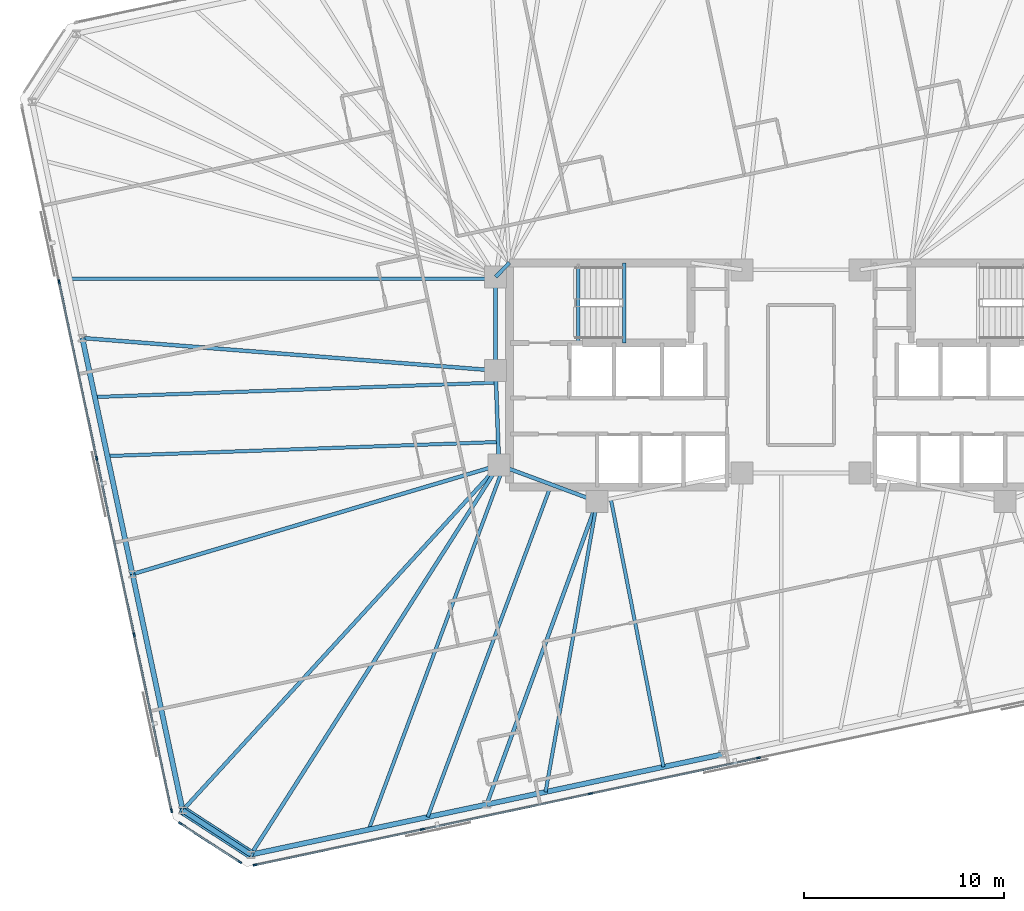
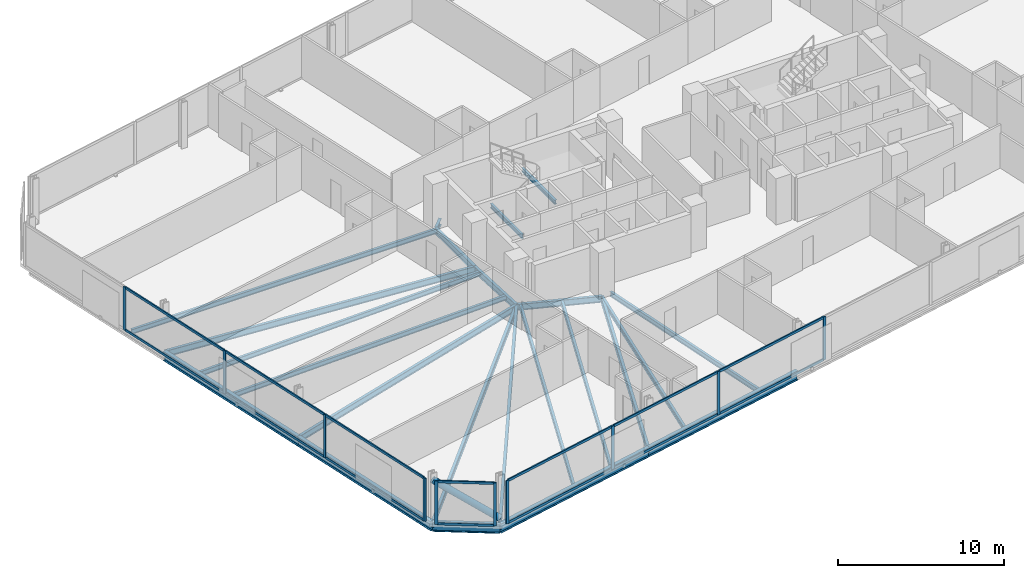
# One storey, part 6 of 19: 25 members, 23 beams, 3 elements without a shape of their own.
"""IFC4 building model written with IfcOpenShell, lengths in metres."""

from ifc_helpers import new_model, si_unit, direction, frame, origin, origin_2d, place, context, subcontext, project, spatial, rectangle, hollow_circle, i_section, extrude, material, material_profile, profile_set, type_object, element, aggregate, save


model = new_model("IFC4")

# Units and contexts
model_context = context("Model", 3, precision=1e-05, world=origin(), true_north=direction((0.0, 1.0)))
body_context = subcontext(model_context, "Body", "Model", "MODEL_VIEW")
ifc_project = project(units=[si_unit("LENGTHUNIT", "METRE"), si_unit("AREAUNIT", "SQUARE_METRE"), si_unit("VOLUMEUNIT", "CUBIC_METRE"), si_unit("PLANEANGLEUNIT", "RADIAN"), si_unit("MASSUNIT", "GRAM", prefix="KILO")], contexts=[model_context])

# Site, building, storey
site_placement = place(None, origin())
site = spatial("IfcSite", under=ifc_project, at=site_placement, CompositionType="ELEMENT")
building_placement = place(site_placement, origin())
building = spatial("IfcBuilding", under=site, at=building_placement, Name="Menara Jurai Vektor", CompositionType="ELEMENT")
storey_placement = place(building_placement, frame((0.0, 0.0, 182.0)))
storey = spatial("IfcBuildingStorey", under=building, at=storey_placement, Name="L47", CompositionType="ELEMENT", Elevation=182.0)

# Curtain wall, members
ifc_material_1 = material(Name="Anodised Pale Aluminium & Low-E Double Glazing", Category="aluminium")
curtain_wall_type = type_object("IfcCurtainWallType", Name="CW-BLK3", PredefinedType="NOTDEFINED", material=ifc_material_1)
curtain_wall_1_placement = place(storey_placement, origin())
curtain_wall_1 = element("IfcCurtainWall", 1, at=curtain_wall_1_placement, inside=storey, type_object=curtain_wall_type, Name="Unitised Curtain Wall L47 F01", PredefinedType="NOTDEFINED")
ifc_material_2 = material(Name="Anodised Pale Aluminium Mullion", Category="aluminium")
ifc_material_profile_1 = material_profile(ifc_material_2, rectangle(XDim=0.0849609375, YDim=0.205078125, at=origin_2d()), Name="ALU MUL 85x205")
ifc_profile_set_1 = profile_set([ifc_material_profile_1], Name="Anodised Pale Aluminium Mullion")
member_type_1 = type_object("IfcMemberType", Name="CW-BLK3-MUL", PredefinedType="MULLION", material=ifc_profile_set_1)
member_1_placement = place(storey_placement, frame((-27.25244140625, -24.462890625, 0.0), z_axis=(0.0, 0.0, 1.0), x_axis=(-0.207911344156, 0.978147674419, 0.0)))
member_1 = element("IfcMember", 2, at=member_1_placement, type_object=member_type_1, Name="CW-03 mullion 1", PredefinedType="MULLION", context=body_context, shape_type="SweptSolid", body=[
    extrude(rectangle(XDim=0.0849609375, YDim=0.205078125, at=origin_2d()), origin(), (0.0, 0.0, 1.0), 3.175048828125),
])
member_2_placement = place(storey_placement, frame((-18.904296875, -22.6884765625, 0.0), z_axis=(0.0, 0.0, 1.0), x_axis=(-0.207911344156, 0.978147674419, 0.0)))
member_2 = element("IfcMember", 3, at=member_2_placement, type_object=member_type_1, Name="CW-03 mullion 2", PredefinedType="MULLION", context=body_context, shape_type="SweptSolid", body=[
    extrude(rectangle(XDim=0.0849609375, YDim=0.205078125, at=origin_2d()), origin(), (0.0, 0.0, 1.0), 3.175048828125),
])
member_3_placement = place(storey_placement, frame((-10.514404296875, -20.905029296875, 0.0), z_axis=(0.0, 0.0, 1.0), x_axis=(-0.207911344156, 0.978147674419, 0.0)))
member_3 = element("IfcMember", 4, at=member_3_placement, type_object=member_type_1, Name="CW-03 mullion 3", PredefinedType="MULLION", context=body_context, shape_type="SweptSolid", body=[
    extrude(rectangle(XDim=0.0849609375, YDim=0.205078125, at=origin_2d()), origin(), (0.0, 0.0, 1.0), 3.175048828125),
])
member_4_placement = place(storey_placement, frame((-2.124755859375, -19.121826171875, 0.0), z_axis=(0.0, 0.0, 1.0), x_axis=(-0.207911344156, 0.978147674419, 0.0)))
member_4 = element("IfcMember", 5, at=member_4_placement, type_object=member_type_1, Name="CW-03 mullion 4", PredefinedType="MULLION", context=body_context, shape_type="SweptSolid", body=[
    extrude(rectangle(XDim=0.0849609375, YDim=0.205078125, at=origin_2d()), origin(), (0.0, 0.0, 1.0), 3.175048828125),
])

curtain_wall_2_placement = place(storey_placement, origin())
curtain_wall_2 = element("IfcCurtainWall", 6, at=curtain_wall_2_placement, inside=storey, type_object=curtain_wall_type, Name="Unitised Curtain Wall L47 F07", PredefinedType="NOTDEFINED")
member_5_placement = place(storey_placement, frame((-37.041259765625, 4.648193359375, 0.0), z_axis=(0.0, 0.0, 1.0), x_axis=(0.978147883949, 0.20791035839, 0.0)))
member_5 = element("IfcMember", 7, at=member_5_placement, type_object=member_type_1, Name="CW-03 mullion 2", PredefinedType="MULLION", context=body_context, shape_type="SweptSolid", body=[
    extrude(rectangle(XDim=0.0849609375, YDim=0.205078125, at=origin_2d()), origin(), (0.0, 0.0, 1.0), 3.175048828125),
])
member_6_placement = place(storey_placement, frame((-35.16796875, -4.1650390625, 0.0), z_axis=(0.0, 0.0, 1.0), x_axis=(0.978147883949, 0.20791035839, 0.0)))
member_6 = element("IfcMember", 8, at=member_6_placement, type_object=member_type_1, Name="CW-03 mullion 3", PredefinedType="MULLION", context=body_context, shape_type="SweptSolid", body=[
    extrude(rectangle(XDim=0.0849609375, YDim=0.205078125, at=origin_2d()), origin(), (0.0, 0.0, 1.0), 3.175048828125),
])
member_7_placement = place(storey_placement, frame((-33.294677734375, -12.978271484375, 0.0), z_axis=(0.0, 0.0, 1.0), x_axis=(0.978147883949, 0.20791035839, 0.0)))
member_7 = element("IfcMember", 9, at=member_7_placement, type_object=member_type_1, Name="CW-03 mullion 4", PredefinedType="MULLION", context=body_context, shape_type="SweptSolid", body=[
    extrude(rectangle(XDim=0.0849609375, YDim=0.205078125, at=origin_2d()), origin(), (0.0, 0.0, 1.0), 3.175048828125),
])
member_8_placement = place(storey_placement, frame((-31.43017578125, -21.749755859375, 0.0), z_axis=(0.0, 0.0, 1.0), x_axis=(0.978147883949, 0.20791035839, 0.0)))
member_8 = element("IfcMember", 10, at=member_8_placement, type_object=member_type_1, Name="CW-03 mullion 5", PredefinedType="MULLION", context=body_context, shape_type="SweptSolid", body=[
    extrude(rectangle(XDim=0.0849609375, YDim=0.205078125, at=origin_2d()), origin(), (0.0, 0.0, 1.0), 3.175048828125),
])

curtain_wall_3_placement = place(storey_placement, origin())
curtain_wall_3 = element("IfcCurtainWall", 11, at=curtain_wall_3_placement, inside=storey, type_object=curtain_wall_type, Name="Unitised Curtain Wall L47 F08", PredefinedType="NOTDEFINED")
member_9_placement = place(storey_placement, frame((-30.988037109375, -22.39306640625, 0.0), z_axis=(0.0, 0.0, 1.0), x_axis=(0.544617794346, 0.838684361415, 0.0)))
member_9 = element("IfcMember", 12, at=member_9_placement, type_object=member_type_1, Name="CW-03 mullion 1", PredefinedType="MULLION", context=body_context, shape_type="SweptSolid", body=[
    extrude(rectangle(XDim=0.0849609375, YDim=0.205078125, at=origin_2d()), origin(), (0.0, 0.0, 1.0), 3.175048828125),
])
member_10_placement = place(storey_placement, frame((-28.02001953125, -24.320556640625, 0.0), z_axis=(0.0, 0.0, 1.0), x_axis=(0.544617794346, 0.838684361415, 0.0)))
member_10 = element("IfcMember", 13, at=member_10_placement, type_object=member_type_1, Name="CW-03 mullion 2", PredefinedType="MULLION", context=body_context, shape_type="SweptSolid", body=[
    extrude(rectangle(XDim=0.0849609375, YDim=0.205078125, at=origin_2d()), origin(), (0.0, 0.0, 1.0), 3.175048828125),
])

# Member
ifc_material_3 = material(Name="Anodised Pale Aluminium Transom", Category="aluminium")
ifc_material_profile_2 = material_profile(ifc_material_3, rectangle(XDim=0.0849609375, YDim=0.175048828125, at=origin_2d()), Name="ALU TRN 85x175")
ifc_profile_set_2 = profile_set([ifc_material_profile_2], Name="Anodised Pale Aluminium Transom")
member_type_2 = type_object("IfcMemberType", Name="CW-BLK3-TRN", PredefinedType="USERDEFINED", material=ifc_profile_set_2)
member_11_placement = place(storey_placement, frame((-27.210693359375, -24.4541015625, 0.04248046875), z_axis=(0.978145704369, 0.207920612313, 0.0), x_axis=(-0.207920612313, 0.978145704369, 0.0)))
member_11 = element("IfcMember", 14, at=member_11_placement, type_object=member_type_2, Name="CW-03 transom 1.1", ObjectType="TRANSOM", PredefinedType="USERDEFINED", context=body_context, shape_type="SweptSolid", body=[
    extrude(rectangle(XDim=0.0849609375, YDim=0.175048828125, at=origin_2d()), origin(), (0.0, 0.0, 1.0), 8.449462890625),
])

member_12_placement = place(storey_placement, frame((-27.210693359375, -24.4541015625, 3.132568359375), z_axis=(0.978145704369, 0.207920612313, 0.0), x_axis=(-0.207920612313, 0.978145704369, 0.0)))
member_12 = element("IfcMember", 15, at=member_12_placement, type_object=member_type_2, Name="CW-03 transom 1.2", ObjectType="TRANSOM", PredefinedType="USERDEFINED", context=body_context, shape_type="SweptSolid", body=[
    extrude(rectangle(XDim=0.0849609375, YDim=0.175048828125, at=origin_2d()), origin(), (0.0, 0.0, 1.0), 8.449462890625),
])

member_13_placement = place(storey_placement, frame((-18.862548828125, -22.6796875, 0.04248046875), z_axis=(0.978146500933, 0.207916864907, 0.0), x_axis=(-0.207916864907, 0.978146500933, 0.0)))
member_13 = element("IfcMember", 16, at=member_13_placement, type_object=member_type_2, Name="CW-03 transom 2.1", ObjectType="TRANSOM", PredefinedType="USERDEFINED", context=body_context, shape_type="SweptSolid", body=[
    extrude(rectangle(XDim=0.0849609375, YDim=0.175048828125, at=origin_2d()), origin(), (0.0, 0.0, 1.0), 8.491943359375),
])

member_14_placement = place(storey_placement, frame((-18.862548828125, -22.6796875, 3.132568359375), z_axis=(0.978146500933, 0.207916864907, 0.0), x_axis=(-0.207916864907, 0.978146500933, 0.0)))
member_14 = element("IfcMember", 17, at=member_14_placement, type_object=member_type_2, Name="CW-03 transom 2.2", ObjectType="TRANSOM", PredefinedType="USERDEFINED", context=body_context, shape_type="SweptSolid", body=[
    extrude(rectangle(XDim=0.0849609375, YDim=0.175048828125, at=origin_2d()), origin(), (0.0, 0.0, 1.0), 8.491943359375),
])

member_15_placement = place(storey_placement, frame((-10.472900390625, -20.896240234375, 0.04248046875), z_axis=(0.978147743708, 0.207911018178, 0.0), x_axis=(-0.207911018178, 0.978147743708, 0.0)))
member_15 = element("IfcMember", 18, at=member_15_placement, type_object=member_type_2, Name="CW-03 transom 3.1", ObjectType="TRANSOM", PredefinedType="USERDEFINED", context=body_context, shape_type="SweptSolid", body=[
    extrude(rectangle(XDim=0.0849609375, YDim=0.175048828125, at=origin_2d()), origin(), (0.0, 0.0, 1.0), 8.4921875),
])

member_16_placement = place(storey_placement, frame((-10.472900390625, -20.896240234375, 3.132568359375), z_axis=(0.978147743708, 0.207911018178, 0.0), x_axis=(-0.207911018178, 0.978147743708, 0.0)))
member_16 = element("IfcMember", 19, at=member_16_placement, type_object=member_type_2, Name="CW-03 transom 3.2", ObjectType="TRANSOM", PredefinedType="USERDEFINED", context=body_context, shape_type="SweptSolid", body=[
    extrude(rectangle(XDim=0.0849609375, YDim=0.175048828125, at=origin_2d()), origin(), (0.0, 0.0, 1.0), 8.4921875),
])

aggregate(curtain_wall_1, [member_1, member_2, member_3, member_4, member_11, member_12, member_13, member_14, member_15, member_16])

member_17_placement = place(storey_placement, frame((-37.032470703125, 4.6064453125, 0.04248046875), z_axis=(0.207922224243, -0.978145361726, 0.0), x_axis=(0.978145361726, 0.207922224243, 0.0)))
member_17 = element("IfcMember", 20, at=member_17_placement, type_object=member_type_2, Name="CW-03 transom 2.1", ObjectType="TRANSOM", PredefinedType="USERDEFINED", context=body_context, shape_type="SweptSolid", body=[
    extrude(rectangle(XDim=0.0849609375, YDim=0.175048828125, at=origin_2d()), origin(), (0.0, 0.0, 1.0), 8.925048828125),
])

member_18_placement = place(storey_placement, frame((-37.032470703125, 4.6064453125, 3.132568359375), z_axis=(0.207922224243, -0.978145361726, 0.0), x_axis=(0.978145361726, 0.207922224243, 0.0)))
member_18 = element("IfcMember", 21, at=member_18_placement, type_object=member_type_2, Name="CW-03 transom 2.2", ObjectType="TRANSOM", PredefinedType="USERDEFINED", context=body_context, shape_type="SweptSolid", body=[
    extrude(rectangle(XDim=0.0849609375, YDim=0.175048828125, at=origin_2d()), origin(), (0.0, 0.0, 1.0), 8.925048828125),
])

member_19_placement = place(storey_placement, frame((-35.1591796875, -4.20654296875, 0.04248046875), z_axis=(0.207922224243, -0.978145361726, 0.0), x_axis=(0.978145361726, 0.207922224243, 0.0)))
member_19 = element("IfcMember", 22, at=member_19_placement, type_object=member_type_2, Name="CW-03 transom 3.1", ObjectType="TRANSOM", PredefinedType="USERDEFINED", context=body_context, shape_type="SweptSolid", body=[
    extrude(rectangle(XDim=0.0849609375, YDim=0.175048828125, at=origin_2d()), origin(), (0.0, 0.0, 1.0), 8.925048828125),
])

member_20_placement = place(storey_placement, frame((-35.1591796875, -4.20654296875, 3.132568359375), z_axis=(0.207922224243, -0.978145361726, 0.0), x_axis=(0.978145361726, 0.207922224243, 0.0)))
member_20 = element("IfcMember", 23, at=member_20_placement, type_object=member_type_2, Name="CW-03 transom 3.2", ObjectType="TRANSOM", PredefinedType="USERDEFINED", context=body_context, shape_type="SweptSolid", body=[
    extrude(rectangle(XDim=0.0849609375, YDim=0.175048828125, at=origin_2d()), origin(), (0.0, 0.0, 1.0), 8.925048828125),
])

member_21_placement = place(storey_placement, frame((-33.285888671875, -13.019775390625, 0.04248046875), z_axis=(0.207925814542, -0.978144598537, 0.0), x_axis=(0.978144598537, 0.207925814542, 0.0)))
member_21 = element("IfcMember", 24, at=member_21_placement, type_object=member_type_2, Name="CW-03 transom 4.1", ObjectType="TRANSOM", PredefinedType="USERDEFINED", context=body_context, shape_type="SweptSolid", body=[
    extrude(rectangle(XDim=0.0849609375, YDim=0.175048828125, at=origin_2d()), origin(), (0.0, 0.0, 1.0), 8.882568359375),
])

member_22_placement = place(storey_placement, frame((-33.285888671875, -13.019775390625, 3.132568359375), z_axis=(0.207925814542, -0.978144598537, 0.0), x_axis=(0.978144598537, 0.207925814542, 0.0)))
member_22 = element("IfcMember", 25, at=member_22_placement, type_object=member_type_2, Name="CW-03 transom 4.2", ObjectType="TRANSOM", PredefinedType="USERDEFINED", context=body_context, shape_type="SweptSolid", body=[
    extrude(rectangle(XDim=0.0849609375, YDim=0.175048828125, at=origin_2d()), origin(), (0.0, 0.0, 1.0), 8.882568359375),
])

aggregate(curtain_wall_2, [member_5, member_6, member_7, member_8, member_17, member_18, member_19, member_20, member_21, member_22])

member_23_placement = place(storey_placement, frame((-30.952392578125, -22.416259765625, 0.04248046875), z_axis=(0.83867770631, -0.54462804274, 0.0), x_axis=(0.54462804274, 0.83867770631, 0.0)))
member_23 = element("IfcMember", 26, at=member_23_placement, type_object=member_type_2, Name="CW-03 transom 1.1", ObjectType="TRANSOM", PredefinedType="USERDEFINED", context=body_context, shape_type="SweptSolid", body=[
    extrude(rectangle(XDim=0.0849609375, YDim=0.175048828125, at=origin_2d()), origin(), (0.0, 0.0, 1.0), 3.453857421875),
])

member_24_placement = place(storey_placement, frame((-30.952392578125, -22.416259765625, 3.132568359375), z_axis=(0.83867770631, -0.54462804274, 0.0), x_axis=(0.54462804274, 0.83867770631, 0.0)))
member_24 = element("IfcMember", 27, at=member_24_placement, type_object=member_type_2, Name="CW-03 transom 1.2", ObjectType="TRANSOM", PredefinedType="USERDEFINED", context=body_context, shape_type="SweptSolid", body=[
    extrude(rectangle(XDim=0.0849609375, YDim=0.175048828125, at=origin_2d()), origin(), (0.0, 0.0, 1.0), 3.453857421875),
])

aggregate(curtain_wall_3, [member_9, member_10, member_23, member_24])

# Beams
ifc_material_4 = material(Name="Steel S355", Category="steel")
ifc_material_profile_3 = material_profile(ifc_material_4, i_section(OverallWidth=0.19091796875, OverallDepth=0.4599609375, WebThickness=0.010009765625, FlangeThickness=0.01611328125, FilletRadius=0.010009765625, at=origin_2d()), Name="UKB 457x191x82")
ifc_profile_set_3 = profile_set([ifc_material_profile_3], Name="Steel S355")
beam_type_1 = type_object("IfcBeamType", Name="STR-BM-457", PredefinedType="BEAM", material=ifc_profile_set_3)
beam_1_placement = place(storey_placement, frame((-15.25, 4.89990234375, -0.455078125), z_axis=(0.701871936926, 0.712303154672, 0.0), x_axis=(-0.712303154672, 0.701871936926, 0.0)))
element("IfcBeam", 28, at=beam_1_placement, inside=storey, type_object=beam_type_1, Name="Core Ring Header Girder L47-CHW-N1", PredefinedType="BEAM", context=body_context, shape_type="SweptSolid", body=[
    extrude(i_section(OverallWidth=0.19091796875, OverallDepth=0.4599609375, WebThickness=0.010009765625, FlangeThickness=0.01611328125, FilletRadius=0.010009765625, at=origin_2d()), origin(), (0.0, 0.0, 1.0), 0.98291015625),
])
beam_2_placement = place(storey_placement, frame((-15.25, 0.219970703125, -0.455078125), z_axis=(0.0, 1.0, 0.0), x_axis=(-1.0, 0.0, 0.0)))
element("IfcBeam", 29, at=beam_2_placement, inside=storey, type_object=beam_type_1, Name="Core Ring Header Girder L47-CHW-W1", PredefinedType="BEAM", context=body_context, shape_type="SweptSolid", body=[
    extrude(i_section(OverallWidth=0.19091796875, OverallDepth=0.4599609375, WebThickness=0.010009765625, FlangeThickness=0.01611328125, FilletRadius=0.010009765625, at=origin_2d()), origin(), (0.0, 0.0, 1.0), 4.679931640625),
])
beam_3_placement = place(storey_placement, frame((-15.080078125, -4.5, -0.455078125), z_axis=(-0.035977314146, 0.999352606874, 0.0), x_axis=(-0.999352606874, -0.035977314146, 0.0)))
element("IfcBeam", 30, at=beam_3_placement, inside=storey, type_object=beam_type_1, Name="Core Ring Header Girder L47-CHW-W2", PredefinedType="BEAM", context=body_context, shape_type="SweptSolid", body=[
    extrude(i_section(OverallWidth=0.19091796875, OverallDepth=0.4599609375, WebThickness=0.010009765625, FlangeThickness=0.01611328125, FilletRadius=0.010009765625, at=origin_2d()), origin(), (0.0, 0.0, 1.0), 4.72314453125),
])
beam_4_placement = place(storey_placement, frame((-15.080078125, -4.5, -0.455078125), z_axis=(0.937424400887, -0.348188874925, 0.0), x_axis=(0.348188874925, 0.937424400887, 0.0)))
element("IfcBeam", 31, at=beam_4_placement, inside=storey, type_object=beam_type_1, Name="Core Ring Header Girder L47-CHW-S1", PredefinedType="BEAM", context=body_context, shape_type="SweptSolid", body=[
    extrude(i_section(OverallWidth=0.19091796875, OverallDepth=0.4599609375, WebThickness=0.010009765625, FlangeThickness=0.01611328125, FilletRadius=0.010009765625, at=origin_2d()), origin(), (0.0, 0.0, 1.0), 5.227294921875),
])
beam_5_placement = place(storey_placement, frame((-27.46484375, -23.94580078125, -0.455078125), z_axis=(0.537189280991, 0.843461721946, 0.0), x_axis=(-0.843461721946, 0.537189280991, 0.0)))
element("IfcBeam", 32, at=beam_5_placement, inside=storey, type_object=beam_type_1, Name="Radial Floor Girder L47-S1", PredefinedType="BEAM", context=body_context, shape_type="SweptSolid", body=[
    extrude(i_section(OverallWidth=0.19091796875, OverallDepth=0.4599609375, WebThickness=0.010009765625, FlangeThickness=0.01611328125, FilletRadius=0.010009765625, at=origin_2d()), origin(), (0.0, 0.0, 1.0), 23.0546875),
])
beam_6_placement = place(storey_placement, frame((-15.696533203125, -21.4443359375, -0.455078125), z_axis=(0.342668294367, 0.939456459893, 0.0), x_axis=(-0.939456459893, 0.342668294367, 0.0)))
element("IfcBeam", 33, at=beam_6_placement, inside=storey, type_object=beam_type_1, Name="Radial Floor Girder L47-S2", PredefinedType="BEAM", context=body_context, shape_type="SweptSolid", body=[
    extrude(i_section(OverallWidth=0.19091796875, OverallDepth=0.4599609375, WebThickness=0.010009765625, FlangeThickness=0.01611328125, FilletRadius=0.010009765625, at=origin_2d()), origin(), (0.0, 0.0, 1.0), 16.098876953125),
])
beam_7_placement = place(storey_placement, frame((-35.8828125, 1.843505859375, -0.455078125), z_axis=(0.996918476483, -0.078444574364, 0.0), x_axis=(0.078444574364, 0.996918476483, 0.0)))
element("IfcBeam", 34, at=beam_7_placement, inside=storey, type_object=beam_type_1, Name="Radial Floor Girder L47-W2", PredefinedType="BEAM", context=body_context, shape_type="SweptSolid", body=[
    extrude(i_section(OverallWidth=0.19091796875, OverallDepth=0.4599609375, WebThickness=0.010009765625, FlangeThickness=0.01611328125, FilletRadius=0.010009765625, at=origin_2d()), origin(), (0.0, 0.0, 1.0), 20.696533203125),
])
beam_8_placement = place(storey_placement, frame((-33.377197265625, -9.94482421875, -0.455078125), z_axis=(0.958462775407, 0.285217650505, 0.0), x_axis=(-0.285217650505, 0.958462775407, 0.0)))
element("IfcBeam", 35, at=beam_8_placement, inside=storey, type_object=beam_type_1, Name="Radial Floor Girder L47-W3", PredefinedType="BEAM", context=body_context, shape_type="SweptSolid", body=[
    extrude(i_section(OverallWidth=0.19091796875, OverallDepth=0.4599609375, WebThickness=0.010009765625, FlangeThickness=0.01611328125, FilletRadius=0.010009765625, at=origin_2d()), origin(), (0.0, 0.0, 1.0), 19.090087890625),
])
beam_9_placement = place(storey_placement, frame((-30.871337890625, -21.7333984375, -0.455078125), z_axis=(0.675584615662, 0.737282460852, 0.0), x_axis=(-0.737282460852, 0.675584615662, 0.0)))
element("IfcBeam", 36, at=beam_9_placement, inside=storey, type_object=beam_type_1, Name="Radial Floor Girder L47-W4", PredefinedType="BEAM", context=body_context, shape_type="SweptSolid", body=[
    extrude(i_section(OverallWidth=0.19091796875, OverallDepth=0.4599609375, WebThickness=0.010009765625, FlangeThickness=0.01611328125, FilletRadius=0.010009765625, at=origin_2d()), origin(), (0.0, 0.0, 1.0), 23.374267578125),
])

# Member
ifc_material_5 = material(Name="Steel S460", Category="steel")
ifc_material_profile_4 = material_profile(ifc_material_5, hollow_circle(Radius=0.228515625, WallThickness=0.01611328125, at=origin_2d()), Name="CHS 457x16")
ifc_profile_set_4 = profile_set([ifc_material_profile_4], Name="Steel S460")
member_type_3 = type_object("IfcMemberType", Name="STR-BR-457", PredefinedType="BRACE", material=ifc_profile_set_4)
member_25_placement = place(storey_placement, frame((-27.46484375, -23.94580078125, 0.14990234375), z_axis=(-0.700402825662, 0.454887866849, 0.5500117366), x_axis=(-0.544673525608, -0.838648168484, 0.0)))
element("IfcMember", 37, at=member_25_placement, inside=storey, type_object=member_type_3, Name="Exoskeleton Corner Brace L47-4", PredefinedType="BRACE", context=body_context, shape_type="SweptSolid", body=[
    extrude(hollow_circle(Radius=0.228515625, WallThickness=0.01611328125, at=origin_2d()), origin(), (0.0, 0.0, 1.0), 4.863525390625),
])

# Beams
ifc_material_profile_5 = material_profile(ifc_material_4, i_section(OverallWidth=0.172119140625, OverallDepth=0.35498046875, WebThickness=0.007080078125, FlangeThickness=0.011962890625, FilletRadius=0.010009765625, at=origin_2d()), Name="UKB 356x171x51")
ifc_profile_set_5 = profile_set([ifc_material_profile_5], Name="Steel S355")
beam_type_2 = type_object("IfcBeamType", Name="STR-JS-356", PredefinedType="JOIST", material=ifc_profile_set_5)
beam_10_placement = place(storey_placement, frame((-21.580810546875, -22.695068359375, -0.402587890625), z_axis=(0.348190019635, 0.937423975705, 0.0), x_axis=(-0.937423975705, 0.348190019635, 0.0)))
element("IfcBeam", 38, at=beam_10_placement, inside=storey, type_object=beam_type_2, Name="Radial Secondary Floor Joist L47-JS01", PredefinedType="JOIST", context=body_context, shape_type="SweptSolid", body=[
    extrude(i_section(OverallWidth=0.172119140625, OverallDepth=0.35498046875, WebThickness=0.007080078125, FlangeThickness=0.011962890625, FilletRadius=0.010009765625, at=origin_2d()), origin(), (0.0, 0.0, 1.0), 19.320068359375),
])
beam_11_placement = place(storey_placement, frame((-18.638671875, -22.069580078125, -0.402587890625), z_axis=(0.348193798412, 0.937422572135, 0.0), x_axis=(-0.937422572135, 0.348193798412, 0.0)))
element("IfcBeam", 39, at=beam_11_placement, inside=storey, type_object=beam_type_2, Name="Radial Secondary Floor Joist L47-JS02", PredefinedType="JOIST", context=body_context, shape_type="SweptSolid", body=[
    extrude(i_section(OverallWidth=0.172119140625, OverallDepth=0.35498046875, WebThickness=0.007080078125, FlangeThickness=0.011962890625, FilletRadius=0.010009765625, at=origin_2d()), origin(), (0.0, 0.0, 1.0), 17.709228515625),
])
beam_12_placement = place(storey_placement, frame((-12.75439453125, -20.819091796875, -0.402587890625), z_axis=(0.174826548521, 0.984599247375, 0.0), x_axis=(-0.984599247375, 0.174826548521, 0.0)))
element("IfcBeam", 40, at=beam_12_placement, inside=storey, type_object=beam_type_2, Name="Radial Secondary Floor Joist L47-JS03", PredefinedType="JOIST", context=body_context, shape_type="SweptSolid", body=[
    extrude(i_section(OverallWidth=0.172119140625, OverallDepth=0.35498046875, WebThickness=0.007080078125, FlangeThickness=0.011962890625, FilletRadius=0.010009765625, at=origin_2d()), origin(), (0.0, 0.0, 1.0), 14.725830078125),
])
beam_13_placement = place(storey_placement, frame((-6.870361328125, -19.568359375, -0.402587890625), z_axis=(-0.19273083746, 0.981251662058, 0.0), x_axis=(-0.981251662058, -0.19273083746, 0.0)))
element("IfcBeam", 41, at=beam_13_placement, inside=storey, type_object=beam_type_2, Name="Radial Secondary Floor Joist L47-JS04", PredefinedType="JOIST", context=body_context, shape_type="SweptSolid", body=[
    extrude(i_section(OverallWidth=0.172119140625, OverallDepth=0.35498046875, WebThickness=0.007080078125, FlangeThickness=0.011962890625, FilletRadius=0.010009765625, at=origin_2d()), origin(), (0.0, 0.0, 1.0), 13.6376953125),
])
beam_14_placement = place(storey_placement, frame((-36.50927734375, 4.790771484375, -0.402587890625), z_axis=(1.0, 0.0, 0.0), x_axis=(0.0, 1.0, 0.0)))
element("IfcBeam", 42, at=beam_14_placement, inside=storey, type_object=beam_type_2, Name="Radial Secondary Floor Joist L47-JS30", PredefinedType="JOIST", context=body_context, shape_type="SweptSolid", body=[
    extrude(i_section(OverallWidth=0.172119140625, OverallDepth=0.35498046875, WebThickness=0.007080078125, FlangeThickness=0.011962890625, FilletRadius=0.010009765625, at=origin_2d()), origin(), (0.0, 0.0, 1.0), 21.25927734375),
])
beam_15_placement = place(storey_placement, frame((-35.25634765625, -1.103515625, -0.402587890625), z_axis=(0.999351866858, 0.035997863919, 0.0), x_axis=(-0.035997863919, 0.999351866858, 0.0)))
element("IfcBeam", 43, at=beam_15_placement, inside=storey, type_object=beam_type_2, Name="Radial Secondary Floor Joist L47-JS31", PredefinedType="JOIST", context=body_context, shape_type="SweptSolid", body=[
    extrude(i_section(OverallWidth=0.172119140625, OverallDepth=0.35498046875, WebThickness=0.007080078125, FlangeThickness=0.011962890625, FilletRadius=0.010009765625, at=origin_2d()), origin(), (0.0, 0.0, 1.0), 20.041015625),
])
beam_16_placement = place(storey_placement, frame((-34.6298828125, -4.05078125, -0.402587890625), z_axis=(0.999352006705, 0.035993981369, 0.0), x_axis=(-0.035993981369, 0.999352006705, 0.0)))
element("IfcBeam", 44, at=beam_16_placement, inside=storey, type_object=beam_type_2, Name="Radial Secondary Floor Joist L47-JS32", PredefinedType="JOIST", context=body_context, shape_type="SweptSolid", body=[
    extrude(i_section(OverallWidth=0.172119140625, OverallDepth=0.35498046875, WebThickness=0.007080078125, FlangeThickness=0.011962890625, FilletRadius=0.010009765625, at=origin_2d()), origin(), (0.0, 0.0, 1.0), 19.52099609375),
])
ifc_material_profile_6 = material_profile(ifc_material_4, i_section(OverallWidth=0.1650390625, OverallDepth=0.302978515625, WebThickness=0.006103515625, FlangeThickness=0.010009765625, FilletRadius=0.009033203125, at=origin_2d()), Name="UKB 305x165x40")
ifc_profile_set_6 = profile_set([ifc_material_profile_6], Name="Steel S355")
beam_type_3 = type_object("IfcBeamType", Name="STR-LN-305", PredefinedType="LINTEL", material=ifc_profile_set_6)
beam_17_placement = place(storey_placement, frame((-11.1201171875, 1.60009765625, -0.37646484375), z_axis=(0.0, 1.0, 0.0), x_axis=(-1.0, 0.0, 0.0)))
element("IfcBeam", 45, at=beam_17_placement, inside=storey, type_object=beam_type_3, Name="Stair Well Floor Trimmer ST1 L47", PredefinedType="LINTEL", context=body_context, shape_type="SweptSolid", body=[
    extrude(i_section(OverallWidth=0.1650390625, OverallDepth=0.302978515625, WebThickness=0.006103515625, FlangeThickness=0.010009765625, FilletRadius=0.009033203125, at=origin_2d()), origin(), (0.0, 0.0, 1.0), 3.81982421875),
])
beam_18_placement = place(storey_placement, frame((-8.830078125, 1.60009765625, 1.348388671875), z_axis=(0.0, 1.0, 0.0), x_axis=(-1.0, 0.0, 0.0)))
element("IfcBeam", 46, at=beam_18_placement, inside=storey, type_object=beam_type_3, Name="Stair Half-Landing Nosing Trimmer ST1-1 L47", PredefinedType="LINTEL", context=body_context, shape_type="SweptSolid", body=[
    extrude(i_section(OverallWidth=0.1650390625, OverallDepth=0.302978515625, WebThickness=0.006103515625, FlangeThickness=0.010009765625, FilletRadius=0.009033203125, at=origin_2d()), origin(), (0.0, 0.0, 1.0), 4.0),
])
ifc_material_profile_7 = material_profile(ifc_material_5, i_section(OverallWidth=0.256103515625, OverallDepth=0.693115234375, WebThickness=0.013916015625, FlangeThickness=0.02392578125, FilletRadius=0.014892578125, at=origin_2d()), Name="UKB 686x254x170")
ifc_profile_set_7 = profile_set([ifc_material_profile_7], Name="Steel S460")
beam_type_4 = type_object("IfcBeamType", Name="STR-SP-686", PredefinedType="SPANDREL", material=ifc_profile_set_7)
beam_19_placement = place(storey_placement, frame((-27.46484375, -23.94580078125, -0.571533203125), z_axis=(0.978147039247, 0.207914332389, 0.0), x_axis=(-0.207914332389, 0.978147039247, 0.0)))
element("IfcBeam", 47, at=beam_19_placement, inside=storey, type_object=beam_type_4, Name="Exoskeleton Spandrel Beam L47-01", PredefinedType="SPANDREL", context=body_context, shape_type="SweptSolid", body=[
    extrude(i_section(OverallWidth=0.256103515625, OverallDepth=0.693115234375, WebThickness=0.013916015625, FlangeThickness=0.02392578125, FilletRadius=0.014892578125, at=origin_2d()), origin(), (0.0, 0.0, 1.0), 12.03125),
])
beam_20_placement = place(storey_placement, frame((-15.696533203125, -21.4443359375, -0.571533203125), z_axis=(0.97814616202, 0.207918459318, 0.0), x_axis=(-0.207918459318, 0.97814616202, 0.0)))
element("IfcBeam", 48, at=beam_20_placement, inside=storey, type_object=beam_type_4, Name="Exoskeleton Spandrel Beam L47-02", PredefinedType="SPANDREL", context=body_context, shape_type="SweptSolid", body=[
    extrude(i_section(OverallWidth=0.256103515625, OverallDepth=0.693115234375, WebThickness=0.013916015625, FlangeThickness=0.02392578125, FilletRadius=0.014892578125, at=origin_2d()), origin(), (0.0, 0.0, 1.0), 12.031005859375),
])
beam_21_placement = place(storey_placement, frame((-35.8828125, 1.843505859375, -0.571533203125), z_axis=(0.207906000604, -0.978148810209, 0.0), x_axis=(0.978148810209, 0.207906000604, 0.0)))
element("IfcBeam", 49, at=beam_21_placement, inside=storey, type_object=beam_type_4, Name="Exoskeleton Spandrel Beam L47-18", PredefinedType="SPANDREL", context=body_context, shape_type="SweptSolid", body=[
    extrude(i_section(OverallWidth=0.256103515625, OverallDepth=0.693115234375, WebThickness=0.013916015625, FlangeThickness=0.02392578125, FilletRadius=0.014892578125, at=origin_2d()), origin(), (0.0, 0.0, 1.0), 12.0517578125),
])
beam_22_placement = place(storey_placement, frame((-33.377197265625, -9.94482421875, -0.571533203125), z_axis=(0.207921262698, -0.978145566119, 0.0), x_axis=(0.978145566119, 0.207921262698, 0.0)))
element("IfcBeam", 50, at=beam_22_placement, inside=storey, type_object=beam_type_4, Name="Exoskeleton Spandrel Beam L47-19", PredefinedType="SPANDREL", context=body_context, shape_type="SweptSolid", body=[
    extrude(i_section(OverallWidth=0.256103515625, OverallDepth=0.693115234375, WebThickness=0.013916015625, FlangeThickness=0.02392578125, FilletRadius=0.014892578125, at=origin_2d()), origin(), (0.0, 0.0, 1.0), 12.052001953125),
])
beam_23_placement = place(storey_placement, frame((-30.871337890625, -21.7333984375, -0.571533203125), z_axis=(0.838648168484, -0.544673525608, 0.0), x_axis=(0.544673525608, 0.838648168484, 0.0)))
element("IfcBeam", 51, at=beam_23_placement, inside=storey, type_object=beam_type_4, Name="Exoskeleton Spandrel Beam L47-20", PredefinedType="SPANDREL", context=body_context, shape_type="SweptSolid", body=[
    extrude(i_section(OverallWidth=0.256103515625, OverallDepth=0.693115234375, WebThickness=0.013916015625, FlangeThickness=0.02392578125, FilletRadius=0.014892578125, at=origin_2d()), origin(), (0.0, 0.0, 1.0), 4.061767578125),
])

save(model, "model.ifc")
